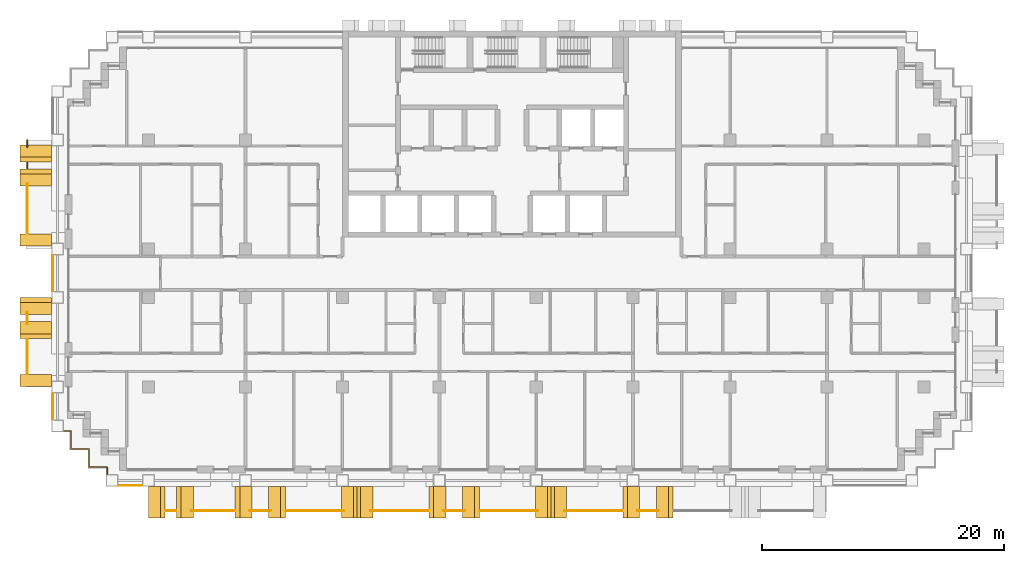
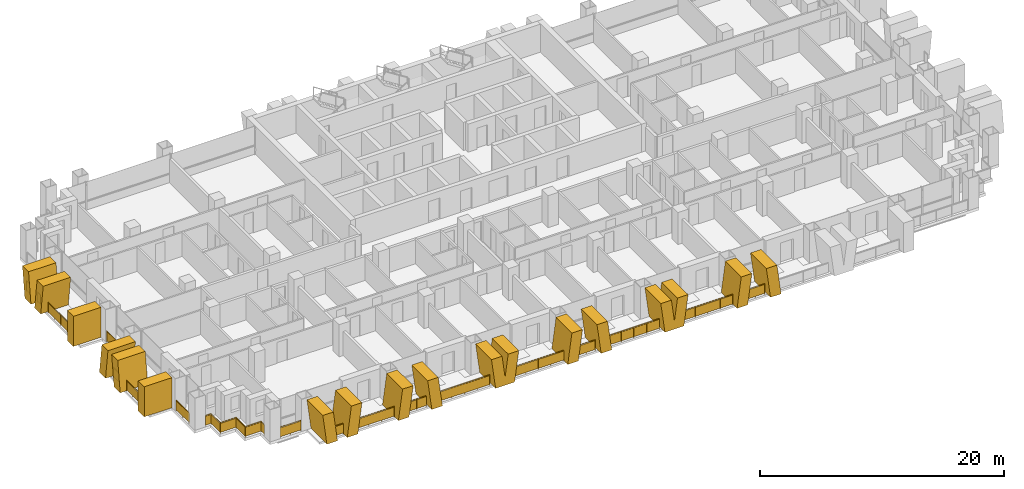
# One storey, part 16 of 19: 18 railings, 16 shading devices.
"""IFC4 building model written with IfcOpenShell, lengths in metres."""

from ifc_helpers import new_model, si_unit, direction, frame, origin, origin_2d, place, context, subcontext, project, spatial, polyline, rectangle, circle, outline, extrude, material, layer, layer_set, type_object, element, save


model = new_model("IFC4")

# Units and contexts
model_context = context("Model", 3, precision=1e-05, world=origin(), true_north=direction((0.0, 1.0)))
body_context = subcontext(model_context, "Body", "Model", "MODEL_VIEW")
ifc_project = project(units=[si_unit("LENGTHUNIT", "METRE"), si_unit("AREAUNIT", "SQUARE_METRE"), si_unit("VOLUMEUNIT", "CUBIC_METRE"), si_unit("PLANEANGLEUNIT", "RADIAN"), si_unit("MASSUNIT", "GRAM", prefix="KILO")], contexts=[model_context])

# Site, building, storey
site_placement = place(None, origin())
site = spatial("IfcSite", under=ifc_project, at=site_placement, CompositionType="ELEMENT")
building_placement = place(site_placement, origin())
building = spatial("IfcBuilding", under=site, at=building_placement, Name="Vidyagriha Tower", CompositionType="ELEMENT")
storey_placement = place(building_placement, frame((0.0, 0.0, 60.800048828125)))
storey = spatial("IfcBuildingStorey", under=building, at=storey_placement, Name="L16", CompositionType="ELEMENT", Elevation=60.800048828125)

# Railings
ifc_material_1 = material(Name="Steel ASTM A500 Grade C black painted", Category="steel")
railing_type_1 = type_object("IfcRailingType", Name="Balcony guard 1100", PredefinedType="BALUSTRADE", material=ifc_material_1)
railing_1_placement = place(storey_placement, frame((-40.0, 11.0, 0.0)))
element("IfcRailing", 1, at=railing_1_placement, inside=storey, type_object=railing_type_1, Name="Balcony guard L16 R16.1-1", PredefinedType="BALUSTRADE", context=body_context, shape_type="SweptSolid", body=[
    extrude(circle(Radius=0.02490234375, at=origin_2d()), frame((0.0, 0.0, 1.0751953125), z_axis=(0.0, -1.0, 0.0), x_axis=(1.0, 0.0, 0.0)), (0.0, 0.0, 1.0), 0.5966796875),
    extrude(circle(Radius=0.02001953125, at=origin_2d()), origin(), (0.0, 0.0, 1.0), 1.050048828125),
    extrude(circle(Radius=0.02001953125, at=origin_2d()), frame((0.0, -0.5966796875, 0.0)), (0.0, 0.0, 1.0), 1.050048828125),
    extrude(rectangle(XDim=0.010009765625, YDim=0.900146484375, at=origin_2d()), frame((0.0, 0.0, 0.550048828125), z_axis=(0.0, -1.0, 0.0), x_axis=(1.0, 0.0, 0.0)), (0.0, 0.0, 1.0), 0.5966796875),
])
railing_2_placement = place(storey_placement, frame((-40.0, 9.14990234375, 0.0)))
element("IfcRailing", 2, at=railing_2_placement, inside=storey, type_object=railing_type_1, Name="Balcony guard L16 R16.1-2", PredefinedType="BALUSTRADE", context=body_context, shape_type="SweptSolid", body=[
    extrude(circle(Radius=0.02490234375, at=origin_2d()), frame((0.0, 0.0, 1.0751953125), z_axis=(0.0, -1.0, 0.0), x_axis=(1.0, 0.0, 0.0)), (0.0, 0.0, 1.0), 0.5),
    extrude(circle(Radius=0.02001953125, at=origin_2d()), origin(), (0.0, 0.0, 1.0), 1.050048828125),
    extrude(circle(Radius=0.02001953125, at=origin_2d()), frame((0.0, -0.5, 0.0)), (0.0, 0.0, 1.0), 1.050048828125),
    extrude(rectangle(XDim=0.010009765625, YDim=0.900146484375, at=origin_2d()), frame((0.0, 0.0, 0.550048828125), z_axis=(0.0, -1.0, 0.0), x_axis=(1.0, 0.0, 0.0)), (0.0, 0.0, 1.0), 0.5),
])
railing_3_placement = place(storey_placement, frame((-40.0, 7.396728515625, 0.0)))
element("IfcRailing", 3, at=railing_3_placement, inside=storey, type_object=railing_type_1, Name="Balcony guard L16 R16.1-3", PredefinedType="BALUSTRADE", context=body_context, shape_type="SweptSolid", body=[
    extrude(circle(Radius=0.02490234375, at=origin_2d()), frame((0.0, 0.0, 1.0751953125), z_axis=(0.0, -1.0, 0.0), x_axis=(1.0, 0.0, 0.0)), (0.0, 0.0, 1.0), 4.0966796875),
    extrude(circle(Radius=0.02001953125, at=origin_2d()), origin(), (0.0, 0.0, 1.0), 1.050048828125),
    extrude(circle(Radius=0.02001953125, at=origin_2d()), frame((0.0, -1.024169921875, 0.0)), (0.0, 0.0, 1.0), 1.050048828125),
    extrude(circle(Radius=0.02001953125, at=origin_2d()), frame((0.0, -2.04833984375, 0.0)), (0.0, 0.0, 1.0), 1.050048828125),
    extrude(circle(Radius=0.02001953125, at=origin_2d()), frame((0.0, -3.072509765625, 0.0)), (0.0, 0.0, 1.0), 1.050048828125),
    extrude(circle(Radius=0.02001953125, at=origin_2d()), frame((0.0, -4.0966796875, 0.0)), (0.0, 0.0, 1.0), 1.050048828125),
    extrude(rectangle(XDim=0.010009765625, YDim=0.900146484375, at=origin_2d()), frame((0.0, 0.0, 0.550048828125), z_axis=(0.0, -1.0, 0.0), x_axis=(1.0, 0.0, 0.0)), (0.0, 0.0, 1.0), 4.0966796875),
])
railing_4_placement = place(storey_placement, frame((-40.0, -3.203369140625, 0.0)))
element("IfcRailing", 4, at=railing_4_placement, inside=storey, type_object=railing_type_1, Name="Balcony guard L16 R16.2-1", PredefinedType="BALUSTRADE", context=body_context, shape_type="SweptSolid", body=[
    extrude(circle(Radius=0.02490234375, at=origin_2d()), frame((0.0, 0.0, 1.0751953125), z_axis=(0.0, -1.0, 0.0), x_axis=(1.0, 0.0, 0.0)), (0.0, 0.0, 1.0), 0.993408203125),
    extrude(circle(Radius=0.02001953125, at=origin_2d()), origin(), (0.0, 0.0, 1.0), 1.050048828125),
    extrude(circle(Radius=0.02001953125, at=origin_2d()), frame((0.0, -0.993408203125, 0.0)), (0.0, 0.0, 1.0), 1.050048828125),
    extrude(rectangle(XDim=0.010009765625, YDim=0.900146484375, at=origin_2d()), frame((0.0, 0.0, 0.550048828125), z_axis=(0.0, -1.0, 0.0), x_axis=(1.0, 0.0, 0.0)), (0.0, 0.0, 1.0), 0.993408203125),
])
railing_5_placement = place(storey_placement, frame((-40.0, -5.449951171875, 0.0)))
element("IfcRailing", 5, at=railing_5_placement, inside=storey, type_object=railing_type_1, Name="Balcony guard L16 R16.2-2", PredefinedType="BALUSTRADE", context=body_context, shape_type="SweptSolid", body=[
    extrude(circle(Radius=0.02490234375, at=origin_2d()), frame((0.0, 0.0, 1.0751953125), z_axis=(0.0, -1.0, 0.0), x_axis=(1.0, 0.0, 0.0)), (0.0, 0.0, 1.0), 2.85009765625),
    extrude(circle(Radius=0.02001953125, at=origin_2d()), origin(), (0.0, 0.0, 1.0), 1.050048828125),
    extrude(circle(Radius=0.02001953125, at=origin_2d()), frame((0.0, -0.949951171875, 0.0)), (0.0, 0.0, 1.0), 1.050048828125),
    extrude(circle(Radius=0.02001953125, at=origin_2d()), frame((0.0, -1.900146484375, 0.0)), (0.0, 0.0, 1.0), 1.050048828125),
    extrude(circle(Radius=0.02001953125, at=origin_2d()), frame((0.0, -2.85009765625, 0.0)), (0.0, 0.0, 1.0), 1.050048828125),
    extrude(rectangle(XDim=0.010009765625, YDim=0.900146484375, at=origin_2d()), frame((0.0, 0.0, 0.550048828125), z_axis=(0.0, -1.0, 0.0), x_axis=(1.0, 0.0, 0.0)), (0.0, 0.0, 1.0), 2.85009765625),
])
railing_6_placement = place(storey_placement, frame((-28.564208984375, -19.60009765625, 0.0)))
element("IfcRailing", 6, at=railing_6_placement, inside=storey, type_object=railing_type_1, Name="Balcony guard L16 R23.1-1", PredefinedType="BALUSTRADE", context=body_context, shape_type="SweptSolid", body=[
    extrude(circle(Radius=0.02490234375, at=origin_2d()), frame((0.0, 0.0, 1.0751953125), z_axis=(1.0, 0.0, 0.0), x_axis=(0.0, 1.0, 0.0)), (0.0, 0.0, 1.0), 0.82861328125),
    extrude(circle(Radius=0.02001953125, at=origin_2d()), origin(), (0.0, 0.0, 1.0), 1.050048828125),
    extrude(circle(Radius=0.02001953125, at=origin_2d()), frame((0.82861328125, 0.0, 0.0)), (0.0, 0.0, 1.0), 1.050048828125),
    extrude(rectangle(XDim=0.010009765625, YDim=0.900146484375, at=origin_2d()), frame((0.0, 0.0, 0.550048828125), z_axis=(1.0, 0.0, 0.0), x_axis=(0.0, 1.0, 0.0)), (0.0, 0.0, 1.0), 0.82861328125),
])
railing_7_placement = place(storey_placement, frame((-26.48779296875, -19.60009765625, 0.0)))
element("IfcRailing", 7, at=railing_7_placement, inside=storey, type_object=railing_type_1, Name="Balcony guard L16 R23.1-2", PredefinedType="BALUSTRADE", context=body_context, shape_type="SweptSolid", body=[
    extrude(circle(Radius=0.02490234375, at=origin_2d()), frame((0.0, 0.0, 1.0751953125), z_axis=(1.0, 0.0, 0.0), x_axis=(0.0, 1.0, 0.0)), (0.0, 0.0, 1.0), 3.582763671875),
    extrude(circle(Radius=0.02001953125, at=origin_2d()), origin(), (0.0, 0.0, 1.0), 1.050048828125),
    extrude(circle(Radius=0.02001953125, at=origin_2d()), frame((1.1943359375, 0.0, 0.0)), (0.0, 0.0, 1.0), 1.050048828125),
    extrude(circle(Radius=0.02001953125, at=origin_2d()), frame((2.388427734375, 0.0, 0.0)), (0.0, 0.0, 1.0), 1.050048828125),
    extrude(circle(Radius=0.02001953125, at=origin_2d()), frame((3.582763671875, 0.0, 0.0)), (0.0, 0.0, 1.0), 1.050048828125),
    extrude(rectangle(XDim=0.010009765625, YDim=0.900146484375, at=origin_2d()), frame((0.0, 0.0, 0.550048828125), z_axis=(1.0, 0.0, 0.0), x_axis=(0.0, 1.0, 0.0)), (0.0, 0.0, 1.0), 3.582763671875),
])
railing_8_placement = place(storey_placement, frame((-21.653564453125, -19.60009765625, 0.0)))
element("IfcRailing", 8, at=railing_8_placement, inside=storey, type_object=railing_type_1, Name="Balcony guard L16 R23.1-3", PredefinedType="BALUSTRADE", context=body_context, shape_type="SweptSolid", body=[
    extrude(circle(Radius=0.02490234375, at=origin_2d()), frame((0.0, 0.0, 1.0751953125), z_axis=(1.0, 0.0, 0.0), x_axis=(0.0, 1.0, 0.0)), (0.0, 0.0, 1.0), 1.757080078125),
    extrude(circle(Radius=0.02001953125, at=origin_2d()), origin(), (0.0, 0.0, 1.0), 1.050048828125),
    extrude(circle(Radius=0.02001953125, at=origin_2d()), frame((0.87841796875, 0.0, 0.0)), (0.0, 0.0, 1.0), 1.050048828125),
    extrude(circle(Radius=0.02001953125, at=origin_2d()), frame((1.757080078125, 0.0, 0.0)), (0.0, 0.0, 1.0), 1.050048828125),
    extrude(rectangle(XDim=0.010009765625, YDim=0.900146484375, at=origin_2d()), frame((0.0, 0.0, 0.550048828125), z_axis=(1.0, 0.0, 0.0), x_axis=(0.0, 1.0, 0.0)), (0.0, 0.0, 1.0), 1.757080078125),
])
railing_9_placement = place(storey_placement, frame((-18.64501953125, -19.60009765625, 0.0)))
element("IfcRailing", 9, at=railing_9_placement, inside=storey, type_object=railing_type_1, Name="Balcony guard L16 R23.1-4", PredefinedType="BALUSTRADE", context=body_context, shape_type="SweptSolid", body=[
    extrude(circle(Radius=0.02490234375, at=origin_2d()), frame((0.0, 0.0, 1.0751953125), z_axis=(1.0, 0.0, 0.0), x_axis=(0.0, 1.0, 0.0)), (0.0, 0.0, 1.0), 4.773681640625),
    extrude(circle(Radius=0.02001953125, at=origin_2d()), origin(), (0.0, 0.0, 1.0), 1.050048828125),
    extrude(circle(Radius=0.02001953125, at=origin_2d()), frame((1.193359375, 0.0, 0.0)), (0.0, 0.0, 1.0), 1.050048828125),
    extrude(circle(Radius=0.02001953125, at=origin_2d()), frame((2.38671875, 0.0, 0.0)), (0.0, 0.0, 1.0), 1.050048828125),
    extrude(circle(Radius=0.02001953125, at=origin_2d()), frame((3.580322265625, 0.0, 0.0)), (0.0, 0.0, 1.0), 1.050048828125),
    extrude(circle(Radius=0.02001953125, at=origin_2d()), frame((4.773681640625, 0.0, 0.0)), (0.0, 0.0, 1.0), 1.050048828125),
    extrude(rectangle(XDim=0.010009765625, YDim=0.900146484375, at=origin_2d()), frame((0.0, 0.0, 0.550048828125), z_axis=(1.0, 0.0, 0.0), x_axis=(0.0, 1.0, 0.0)), (0.0, 0.0, 1.0), 4.773681640625),
])
railing_10_placement = place(storey_placement, frame((-11.678466796875, -19.60009765625, 0.0)))
element("IfcRailing", 10, at=railing_10_placement, inside=storey, type_object=railing_type_1, Name="Balcony guard L16 R23.1-5", PredefinedType="BALUSTRADE", context=body_context, shape_type="SweptSolid", body=[
    extrude(circle(Radius=0.02490234375, at=origin_2d()), frame((0.0, 0.0, 1.0751953125), z_axis=(1.0, 0.0, 0.0), x_axis=(0.0, 1.0, 0.0)), (0.0, 0.0, 1.0), 4.7734375),
    extrude(circle(Radius=0.02001953125, at=origin_2d()), origin(), (0.0, 0.0, 1.0), 1.050048828125),
    extrude(circle(Radius=0.02001953125, at=origin_2d()), frame((1.193359375, 0.0, 0.0)), (0.0, 0.0, 1.0), 1.050048828125),
    extrude(circle(Radius=0.02001953125, at=origin_2d()), frame((2.38671875, 0.0, 0.0)), (0.0, 0.0, 1.0), 1.050048828125),
    extrude(circle(Radius=0.02001953125, at=origin_2d()), frame((3.580078125, 0.0, 0.0)), (0.0, 0.0, 1.0), 1.050048828125),
    extrude(circle(Radius=0.02001953125, at=origin_2d()), frame((4.7734375, 0.0, 0.0)), (0.0, 0.0, 1.0), 1.050048828125),
    extrude(rectangle(XDim=0.010009765625, YDim=0.900146484375, at=origin_2d()), frame((0.0, 0.0, 0.550048828125), z_axis=(1.0, 0.0, 0.0), x_axis=(0.0, 1.0, 0.0)), (0.0, 0.0, 1.0), 4.7734375),
])
railing_11_placement = place(storey_placement, frame((-5.653564453125, -19.60009765625, 0.0)))
element("IfcRailing", 11, at=railing_11_placement, inside=storey, type_object=railing_type_1, Name="Balcony guard L16 R23.1-6", PredefinedType="BALUSTRADE", context=body_context, shape_type="SweptSolid", body=[
    extrude(circle(Radius=0.02490234375, at=origin_2d()), frame((0.0, 0.0, 1.0751953125), z_axis=(1.0, 0.0, 0.0), x_axis=(0.0, 1.0, 0.0)), (0.0, 0.0, 1.0), 1.757080078125),
    extrude(circle(Radius=0.02001953125, at=origin_2d()), origin(), (0.0, 0.0, 1.0), 1.050048828125),
    extrude(circle(Radius=0.02001953125, at=origin_2d()), frame((0.87841796875, 0.0, 0.0)), (0.0, 0.0, 1.0), 1.050048828125),
    extrude(circle(Radius=0.02001953125, at=origin_2d()), frame((1.757080078125, 0.0, 0.0)), (0.0, 0.0, 1.0), 1.050048828125),
    extrude(rectangle(XDim=0.010009765625, YDim=0.900146484375, at=origin_2d()), frame((0.0, 0.0, 0.550048828125), z_axis=(1.0, 0.0, 0.0), x_axis=(0.0, 1.0, 0.0)), (0.0, 0.0, 1.0), 1.757080078125),
])
railing_12_placement = place(storey_placement, frame((-2.64501953125, -19.60009765625, 0.0)))
element("IfcRailing", 12, at=railing_12_placement, inside=storey, type_object=railing_type_1, Name="Balcony guard L16 R23.1-7", PredefinedType="BALUSTRADE", context=body_context, shape_type="SweptSolid", body=[
    extrude(circle(Radius=0.02490234375, at=origin_2d()), frame((0.0, 0.0, 1.0751953125), z_axis=(1.0, 0.0, 0.0), x_axis=(0.0, 1.0, 0.0)), (0.0, 0.0, 1.0), 4.773681640625),
    extrude(circle(Radius=0.02001953125, at=origin_2d()), origin(), (0.0, 0.0, 1.0), 1.050048828125),
    extrude(circle(Radius=0.02001953125, at=origin_2d()), frame((1.193359375, 0.0, 0.0)), (0.0, 0.0, 1.0), 1.050048828125),
    extrude(circle(Radius=0.02001953125, at=origin_2d()), frame((2.38671875, 0.0, 0.0)), (0.0, 0.0, 1.0), 1.050048828125),
    extrude(circle(Radius=0.02001953125, at=origin_2d()), frame((3.580322265625, 0.0, 0.0)), (0.0, 0.0, 1.0), 1.050048828125),
    extrude(circle(Radius=0.02001953125, at=origin_2d()), frame((4.773681640625, 0.0, 0.0)), (0.0, 0.0, 1.0), 1.050048828125),
    extrude(rectangle(XDim=0.010009765625, YDim=0.900146484375, at=origin_2d()), frame((0.0, 0.0, 0.550048828125), z_axis=(1.0, 0.0, 0.0), x_axis=(0.0, 1.0, 0.0)), (0.0, 0.0, 1.0), 4.773681640625),
])
railing_13_placement = place(storey_placement, frame((4.321533203125, -19.60009765625, 0.0)))
element("IfcRailing", 13, at=railing_13_placement, inside=storey, type_object=railing_type_1, Name="Balcony guard L16 R23.1-8", PredefinedType="BALUSTRADE", context=body_context, shape_type="SweptSolid", body=[
    extrude(circle(Radius=0.02490234375, at=origin_2d()), frame((0.0, 0.0, 1.0751953125), z_axis=(1.0, 0.0, 0.0), x_axis=(0.0, 1.0, 0.0)), (0.0, 0.0, 1.0), 4.7734375),
    extrude(circle(Radius=0.02001953125, at=origin_2d()), origin(), (0.0, 0.0, 1.0), 1.050048828125),
    extrude(circle(Radius=0.02001953125, at=origin_2d()), frame((1.193359375, 0.0, 0.0)), (0.0, 0.0, 1.0), 1.050048828125),
    extrude(circle(Radius=0.02001953125, at=origin_2d()), frame((2.38671875, 0.0, 0.0)), (0.0, 0.0, 1.0), 1.050048828125),
    extrude(circle(Radius=0.02001953125, at=origin_2d()), frame((3.580078125, 0.0, 0.0)), (0.0, 0.0, 1.0), 1.050048828125),
    extrude(circle(Radius=0.02001953125, at=origin_2d()), frame((4.7734375, 0.0, 0.0)), (0.0, 0.0, 1.0), 1.050048828125),
    extrude(rectangle(XDim=0.010009765625, YDim=0.900146484375, at=origin_2d()), frame((0.0, 0.0, 0.550048828125), z_axis=(1.0, 0.0, 0.0), x_axis=(0.0, 1.0, 0.0)), (0.0, 0.0, 1.0), 4.7734375),
])
railing_14_placement = place(storey_placement, frame((10.346435546875, -19.60009765625, 0.0)))
element("IfcRailing", 14, at=railing_14_placement, inside=storey, type_object=railing_type_1, Name="Balcony guard L16 R23.1-9", PredefinedType="BALUSTRADE", context=body_context, shape_type="SweptSolid", body=[
    extrude(circle(Radius=0.02490234375, at=origin_2d()), frame((0.0, 0.0, 1.0751953125), z_axis=(1.0, 0.0, 0.0), x_axis=(0.0, 1.0, 0.0)), (0.0, 0.0, 1.0), 1.757080078125),
    extrude(circle(Radius=0.02001953125, at=origin_2d()), origin(), (0.0, 0.0, 1.0), 1.050048828125),
    extrude(circle(Radius=0.02001953125, at=origin_2d()), frame((0.87841796875, 0.0, 0.0)), (0.0, 0.0, 1.0), 1.050048828125),
    extrude(circle(Radius=0.02001953125, at=origin_2d()), frame((1.757080078125, 0.0, 0.0)), (0.0, 0.0, 1.0), 1.050048828125),
    extrude(rectangle(XDim=0.010009765625, YDim=0.900146484375, at=origin_2d()), frame((0.0, 0.0, 0.550048828125), z_axis=(1.0, 0.0, 0.0), x_axis=(0.0, 1.0, 0.0)), (0.0, 0.0, 1.0), 1.757080078125),
])

# Shading devices
ifc_material_2 = material(Name="Precast concrete C40/50 with buff brick facing", Category="concrete")
ifc_layer_1 = layer(ifc_material_2, 1.0)
ifc_layer_set_1 = layer_set([ifc_layer_1], Name="Precast concrete C40/50 with buff brick facing")
shading_device_type_1 = type_object("IfcShadingDeviceType", Name="Brick-faced blade fin arm leaning 8 degrees", PredefinedType="USERDEFINED", material=ifc_layer_set_1)
shading_device_1_placement = place(storey_placement, frame((-39.300048828125, 8.60009765625, 0.0), z_axis=(0.0, 0.0, 1.0), x_axis=(0.0, -1.0, 0.0)))
element("IfcShadingDevice", 15, at=shading_device_1_placement, inside=storey, type_object=shading_device_type_1, Name="Leaning blade fin L16 R16.280a", ObjectType="BLADE FIN", PredefinedType="USERDEFINED", context=body_context, shape_type="SweptSolid", body=[
    extrude(outline(polyline([(0.0, 0.0), (1.0, 0.0), (1.39990234375, 3.0), (0.39990234375, 3.0), (0.0, 0.0)])), frame((0.0, 1.300048828125, 0.0), z_axis=(0.0, -1.0, 0.0), x_axis=(1.0, 0.0, 0.0)), (0.0, 0.0, 1.0), 2.60009765625),
])
for number, where, z_axis, x_axis, name in (
    (16, (-39.300048828125, 10.60009765625, 0.0), (0.0, 0.0, 1.0), (0.0, -1.0, 0.0), "Leaning blade fin L16 R16.280b"),
    (17, (-39.300048828125, -4.0, 0.0), (0.0, 0.0, 1.0), (0.0, -1.0, 0.0), "Leaning blade fin L16 R16.1580a"),
):
    element("IfcShadingDevice", number, at=place(storey_placement, frame(where, z_axis=z_axis, x_axis=x_axis)), inside=storey, type_object=shading_device_type_1, Name=name, ObjectType="BLADE FIN", PredefinedType="USERDEFINED", context=body_context, shape_type="SweptSolid", body=[
        extrude(outline(polyline([(0.39990234375, 0.0), (1.39990234375, 0.0), (1.0, 3.0), (0.0, 3.0), (0.39990234375, 0.0)])), frame((0.0, 1.300048828125, 0.0), z_axis=(0.0, -1.0, 0.0), x_axis=(1.0, 0.0, 0.0)), (0.0, 0.0, 1.0), 2.60009765625),
    ])
shading_device_2_placement = place(storey_placement, frame((-39.300048828125, -2.0, 0.0), z_axis=(0.0, 0.0, 1.0), x_axis=(0.0, -1.0, 0.0)))
element("IfcShadingDevice", 18, at=shading_device_2_placement, inside=storey, type_object=shading_device_type_1, Name="Leaning blade fin L16 R16.1580b", ObjectType="BLADE FIN", PredefinedType="USERDEFINED", context=body_context, shape_type="SweptSolid", body=[
    extrude(outline(polyline([(0.0, 0.0), (1.0, 0.0), (1.39990234375, 3.0), (0.39990234375, 3.0), (0.0, 0.0)])), frame((0.0, 1.300048828125, 0.0), z_axis=(0.0, -1.0, 0.0), x_axis=(1.0, 0.0, 0.0)), (0.0, 0.0, 1.0), 2.60009765625),
])
shading_device_3_placement = place(storey_placement, frame((-27.685791015625, -18.89990234375, 0.0)))
element("IfcShadingDevice", 19, at=shading_device_3_placement, inside=storey, type_object=shading_device_type_1, Name="Leaning blade fin L16 R23.180a", ObjectType="BLADE FIN", PredefinedType="USERDEFINED", context=body_context, shape_type="SweptSolid", body=[
    extrude(outline(polyline([(0.0, 0.0), (1.0, 0.0), (1.3857421875, 3.0), (0.3857421875, 3.0), (0.0, 0.0)])), frame((0.0, 1.300048828125, 0.0), z_axis=(0.0, -1.0, 0.0), x_axis=(1.0, 0.0, 0.0)), (0.0, 0.0, 1.0), 2.60009765625),
])
shading_device_4_placement = place(storey_placement, frame((-30.0, -18.89990234375, 0.0)))
element("IfcShadingDevice", 20, at=shading_device_4_placement, inside=storey, type_object=shading_device_type_1, Name="Leaning blade fin L16 R23.180b", ObjectType="BLADE FIN", PredefinedType="USERDEFINED", context=body_context, shape_type="SweptSolid", body=[
    extrude(outline(polyline([(0.3857421875, 0.0), (1.3857421875, 0.0), (1.0, 3.0), (0.0, 3.0), (0.3857421875, 0.0)])), frame((0.0, 1.300048828125, 0.0), z_axis=(0.0, -1.0, 0.0), x_axis=(1.0, 0.0, 0.0)), (0.0, 0.0, 1.0), 2.60009765625),
])
shading_device_5_placement = place(storey_placement, frame((-20.090087890625, -18.89990234375, 0.0)))
element("IfcShadingDevice", 21, at=shading_device_5_placement, inside=storey, type_object=shading_device_type_1, Name="Leaning blade fin L16 R23.980a", ObjectType="BLADE FIN", PredefinedType="USERDEFINED", context=body_context, shape_type="SweptSolid", body=[
    extrude(outline(polyline([(0.39501953125, 0.0), (1.39501953125, 0.0), (1.0, 3.0), (0.0, 3.0), (0.39501953125, 0.0)])), frame((0.0, 1.300048828125, 0.0), z_axis=(0.0, -1.0, 0.0), x_axis=(1.0, 0.0, 0.0)), (0.0, 0.0, 1.0), 2.60009765625),
])
shading_device_6_placement = place(storey_placement, frame((-22.85498046875, -18.89990234375, 0.0)))
element("IfcShadingDevice", 22, at=shading_device_6_placement, inside=storey, type_object=shading_device_type_1, Name="Leaning blade fin L16 R23.980b", ObjectType="BLADE FIN", PredefinedType="USERDEFINED", context=body_context, shape_type="SweptSolid", body=[
    extrude(outline(polyline([(0.0, 0.0), (1.0, 0.0), (1.39501953125, 3.0), (0.39501953125, 3.0), (0.0, 0.0)])), frame((0.0, 1.300048828125, 0.0), z_axis=(0.0, -1.0, 0.0), x_axis=(1.0, 0.0, 0.0)), (0.0, 0.0, 1.0), 2.60009765625),
])
shading_device_7_placement = place(storey_placement, frame((-4.090087890625, -18.89990234375, 0.0)))
element("IfcShadingDevice", 23, at=shading_device_7_placement, inside=storey, type_object=shading_device_type_1, Name="Leaning blade fin L16 R23.2580a", ObjectType="BLADE FIN", PredefinedType="USERDEFINED", context=body_context, shape_type="SweptSolid", body=[
    extrude(outline(polyline([(0.39501953125, 0.0), (1.39501953125, 0.0), (1.0, 3.0), (0.0, 3.0), (0.39501953125, 0.0)])), frame((0.0, 1.300048828125, 0.0), z_axis=(0.0, -1.0, 0.0), x_axis=(1.0, 0.0, 0.0)), (0.0, 0.0, 1.0), 2.60009765625),
])
shading_device_8_placement = place(storey_placement, frame((-6.85498046875, -18.89990234375, 0.0)))
element("IfcShadingDevice", 24, at=shading_device_8_placement, inside=storey, type_object=shading_device_type_1, Name="Leaning blade fin L16 R23.2580b", ObjectType="BLADE FIN", PredefinedType="USERDEFINED", context=body_context, shape_type="SweptSolid", body=[
    extrude(outline(polyline([(0.0, 0.0), (1.0, 0.0), (1.39501953125, 3.0), (0.39501953125, 3.0), (0.0, 0.0)])), frame((0.0, 1.300048828125, 0.0), z_axis=(0.0, -1.0, 0.0), x_axis=(1.0, 0.0, 0.0)), (0.0, 0.0, 1.0), 2.60009765625),
])
shading_device_9_placement = place(storey_placement, frame((11.909912109375, -18.89990234375, 0.0)))
element("IfcShadingDevice", 25, at=shading_device_9_placement, inside=storey, type_object=shading_device_type_1, Name="Leaning blade fin L16 R23.4180a", ObjectType="BLADE FIN", PredefinedType="USERDEFINED", context=body_context, shape_type="SweptSolid", body=[
    extrude(outline(polyline([(0.39501953125, 0.0), (1.39501953125, 0.0), (1.0, 3.0), (0.0, 3.0), (0.39501953125, 0.0)])), frame((0.0, 1.300048828125, 0.0), z_axis=(0.0, -1.0, 0.0), x_axis=(1.0, 0.0, 0.0)), (0.0, 0.0, 1.0), 2.60009765625),
])
shading_device_10_placement = place(storey_placement, frame((9.14501953125, -18.89990234375, 0.0)))
element("IfcShadingDevice", 26, at=shading_device_10_placement, inside=storey, type_object=shading_device_type_1, Name="Leaning blade fin L16 R23.4180b", ObjectType="BLADE FIN", PredefinedType="USERDEFINED", context=body_context, shape_type="SweptSolid", body=[
    extrude(outline(polyline([(0.0, 0.0), (1.0, 0.0), (1.39501953125, 3.0), (0.39501953125, 3.0), (0.0, 0.0)])), frame((0.0, 1.300048828125, 0.0), z_axis=(0.0, -1.0, 0.0), x_axis=(1.0, 0.0, 0.0)), (0.0, 0.0, 1.0), 2.60009765625),
])
ifc_material_3 = material(Name="Precast concrete C40/50 with buff brick facing", Category="concrete")
ifc_layer_2 = layer(ifc_material_3, 1.0)
ifc_layer_set_2 = layer_set([ifc_layer_2], Name="Precast concrete C40/50 with buff brick facing")
shading_device_type_2 = type_object("IfcShadingDeviceType", Name="Brick-faced blade fin forking 8 degrees", PredefinedType="USERDEFINED", material=ifc_layer_set_2)
for number, where, name in (
    (27, (-14.06494140625, -18.89990234375, 0.0), "Forked blade fin L16 R23.1780a"),
    (28, (1.93505859375, -18.89990234375, 0.0), "Forked blade fin L16 R23.3380a"),
):
    element("IfcShadingDevice", number, at=place(storey_placement, frame(where)), inside=storey, type_object=shading_device_type_2, Name=name, ObjectType="BLADE FIN", PredefinedType="USERDEFINED", context=body_context, shape_type="SweptSolid", body=[
        extrude(outline(polyline([(0.39501953125, 0.0), (2.18505859375, 0.0), (2.580078125, 3.0), (1.580078125, 3.0), (1.2900390625, 0.79736328125), (1.0, 3.0), (0.0, 3.0), (0.39501953125, 0.0)])), frame((0.0, 1.300048828125, 0.0), z_axis=(0.0, -1.0, 0.0), x_axis=(1.0, 0.0, 0.0)), (0.0, 0.0, 1.0), 2.60009765625),
    ])
ifc_material_4 = material(Name="Precast concrete C40/50 with buff brick facing", Category="concrete")
ifc_layer_3 = layer(ifc_material_4, 1.0)
ifc_layer_set_3 = layer_set([ifc_layer_3], Name="Precast concrete C40/50 with buff brick facing")
shading_device_type_3 = type_object("IfcShadingDeviceType", Name="Brick-faced blade fin stem 1000", PredefinedType="USERDEFINED", material=ifc_layer_set_3)
for number, where, z_axis, x_axis, name in (
    (29, (-39.300048828125, 3.25, 0.0), (0.0, 0.0, 1.0), (0.0, -1.0, 0.0), "Stem blade fin L16 R16.1180a"),
    (30, (-39.300048828125, -8.35009765625, 0.0), (0.0, 0.0, 1.0), (0.0, -1.0, 0.0), "Stem blade fin L16 R16.2320a"),
):
    element("IfcShadingDevice", number, at=place(storey_placement, frame(where, z_axis=z_axis, x_axis=x_axis)), inside=storey, type_object=shading_device_type_3, Name=name, ObjectType="BLADE FIN", PredefinedType="USERDEFINED", context=body_context, shape_type="SweptSolid", body=[
        extrude(outline(polyline([(0.0, 0.0), (1.0, 0.0), (1.0, 3.0), (0.0, 3.0), (0.0, 0.0)])), frame((0.0, 1.300048828125, 0.0), z_axis=(0.0, -1.0, 0.0), x_axis=(1.0, 0.0, 0.0)), (0.0, 0.0, 1.0), 2.60009765625),
    ])

# Railings
ifc_material_5 = material(Name="Steel ASTM A500 Grade C black painted", Category="steel")
railing_type_2 = type_object("IfcRailingType", Name="Gallery guard 1100", PredefinedType="GUARDRAIL", material=ifc_material_5)
railing_15_placement = place(storey_placement, frame((-37.89990234375, -12.070068359375, 0.0)))
element("IfcRailing", 31, at=railing_15_placement, inside=storey, type_object=railing_type_2, Name="Gallery guard L16 1", PredefinedType="GUARDRAIL", context=body_context, shape_type="SweptSolid", body=[
    extrude(circle(Radius=0.02490234375, at=origin_2d()), frame((0.0, 0.0, 1.0751953125), z_axis=(0.0, 1.0, 0.0), x_axis=(-1.0, 0.0, 0.0)), (0.0, 0.0, 1.0), 2.14013671875),
    extrude(circle(Radius=0.02001953125, at=origin_2d()), origin(), (0.0, 0.0, 1.0), 1.050048828125),
    extrude(circle(Radius=0.02001953125, at=origin_2d()), frame((0.0, 1.070068359375, 0.0)), (0.0, 0.0, 1.0), 1.050048828125),
    extrude(circle(Radius=0.02001953125, at=origin_2d()), frame((0.0, 2.14013671875, 0.0)), (0.0, 0.0, 1.0), 1.050048828125),
    extrude(rectangle(XDim=0.010009765625, YDim=0.900146484375, at=origin_2d()), frame((0.0, 0.0, 0.550048828125), z_axis=(0.0, 1.0, 0.0), x_axis=(-1.0, 0.0, 0.0)), (0.0, 0.0, 1.0), 2.14013671875),
])
railing_16_placement = place(storey_placement, frame((-37.89990234375, -1.469970703125, 0.0)))
element("IfcRailing", 32, at=railing_16_placement, inside=storey, type_object=railing_type_2, Name="Gallery guard L16 2", PredefinedType="GUARDRAIL", context=body_context, shape_type="SweptSolid", body=[
    extrude(circle(Radius=0.02490234375, at=origin_2d()), frame((0.0, 0.0, 1.0751953125), z_axis=(0.0, 1.0, 0.0), x_axis=(-1.0, 0.0, 0.0)), (0.0, 0.0, 1.0), 2.93994140625),
    extrude(circle(Radius=0.02001953125, at=origin_2d()), origin(), (0.0, 0.0, 1.0), 1.050048828125),
    extrude(circle(Radius=0.02001953125, at=origin_2d()), frame((0.0, 1.469970703125, 0.0)), (0.0, 0.0, 1.0), 1.050048828125),
    extrude(circle(Radius=0.02001953125, at=origin_2d()), frame((0.0, 2.93994140625, 0.0)), (0.0, 0.0, 1.0), 1.050048828125),
    extrude(rectangle(XDim=0.010009765625, YDim=0.900146484375, at=origin_2d()), frame((0.0, 0.0, 0.550048828125), z_axis=(0.0, 1.0, 0.0), x_axis=(-1.0, 0.0, 0.0)), (0.0, 0.0, 1.0), 2.93994140625),
])
railing_17_placement = place(storey_placement, frame((-33.39990234375, -16.570068359375, 0.0)))
element("IfcRailing", 33, at=railing_17_placement, inside=storey, type_object=railing_type_2, Name="Gallery guard L16 4", PredefinedType="GUARDRAIL", context=body_context, shape_type="SweptSolid", body=[
    extrude(circle(Radius=0.02490234375, at=origin_2d()), frame((0.0, 0.0, 1.0751953125), z_axis=(0.0, 1.0, 0.0), x_axis=(-1.0, 0.0, 0.0)), (0.0, 0.0, 1.0), 0.570068359375),
    extrude(circle(Radius=0.02490234375, at=origin_2d()), frame((0.0, 0.570068359375, 1.0751953125), z_axis=(-1.0, 0.0, 0.0), x_axis=(0.0, -1.0, 0.0)), (0.0, 0.0, 1.0), 1.5),
    extrude(circle(Radius=0.02490234375, at=origin_2d()), frame((-1.5, 0.570068359375, 1.0751953125), z_axis=(0.0, 1.0, 0.0), x_axis=(-1.0, 0.0, 0.0)), (0.0, 0.0, 1.0), 1.5),
    extrude(circle(Radius=0.02490234375, at=origin_2d()), frame((-1.5, 2.070068359375, 1.0751953125), z_axis=(-1.0, 0.0, 0.0), x_axis=(0.0, -1.0, 0.0)), (0.0, 0.0, 1.0), 1.5),
    extrude(circle(Radius=0.02490234375, at=origin_2d()), frame((-3.0, 2.070068359375, 1.0751953125), z_axis=(0.0, 1.0, 0.0), x_axis=(-1.0, 0.0, 0.0)), (0.0, 0.0, 1.0), 1.5),
    extrude(circle(Radius=0.02490234375, at=origin_2d()), frame((-3.0, 3.570068359375, 1.0751953125), z_axis=(-1.0, 0.0, 0.0), x_axis=(0.0, -1.0, 0.0)), (0.0, 0.0, 1.0), 0.570068359375),
    extrude(circle(Radius=0.02001953125, at=origin_2d()), origin(), (0.0, 0.0, 1.0), 1.050048828125),
    extrude(circle(Radius=0.02001953125, at=origin_2d()), frame((0.0, 0.570068359375, 0.0)), (0.0, 0.0, 1.0), 1.050048828125),
    extrude(circle(Radius=0.02001953125, at=origin_2d()), frame((-1.5, 0.570068359375, 0.0)), (0.0, 0.0, 1.0), 1.050048828125),
    extrude(circle(Radius=0.02001953125, at=origin_2d()), frame((-1.5, 2.070068359375, 0.0)), (0.0, 0.0, 1.0), 1.050048828125),
    extrude(circle(Radius=0.02001953125, at=origin_2d()), frame((-3.0, 2.070068359375, 0.0)), (0.0, 0.0, 1.0), 1.050048828125),
    extrude(circle(Radius=0.02001953125, at=origin_2d()), frame((-3.0, 3.570068359375, 0.0)), (0.0, 0.0, 1.0), 1.050048828125),
    extrude(circle(Radius=0.02001953125, at=origin_2d()), frame((-3.570068359375, 3.570068359375, 0.0)), (0.0, 0.0, 1.0), 1.050048828125),
    extrude(rectangle(XDim=0.010009765625, YDim=0.900146484375, at=origin_2d()), frame((0.0, 0.0, 0.550048828125), z_axis=(0.0, 1.0, 0.0), x_axis=(-1.0, 0.0, 0.0)), (0.0, 0.0, 1.0), 0.570068359375),
    extrude(rectangle(XDim=0.010009765625, YDim=0.900146484375, at=origin_2d()), frame((0.0, 0.570068359375, 0.550048828125), z_axis=(-1.0, 0.0, 0.0), x_axis=(0.0, -1.0, 0.0)), (0.0, 0.0, 1.0), 1.5),
    extrude(rectangle(XDim=0.010009765625, YDim=0.900146484375, at=origin_2d()), frame((-1.5, 0.570068359375, 0.550048828125), z_axis=(0.0, 1.0, 0.0), x_axis=(-1.0, 0.0, 0.0)), (0.0, 0.0, 1.0), 1.5),
    extrude(rectangle(XDim=0.010009765625, YDim=0.900146484375, at=origin_2d()), frame((-1.5, 2.070068359375, 0.550048828125), z_axis=(-1.0, 0.0, 0.0), x_axis=(0.0, -1.0, 0.0)), (0.0, 0.0, 1.0), 1.5),
    extrude(rectangle(XDim=0.010009765625, YDim=0.900146484375, at=origin_2d()), frame((-3.0, 2.070068359375, 0.550048828125), z_axis=(0.0, 1.0, 0.0), x_axis=(-1.0, 0.0, 0.0)), (0.0, 0.0, 1.0), 1.5),
    extrude(rectangle(XDim=0.010009765625, YDim=0.900146484375, at=origin_2d()), frame((-3.0, 3.570068359375, 0.550048828125), z_axis=(-1.0, 0.0, 0.0), x_axis=(0.0, -1.0, 0.0)), (0.0, 0.0, 1.0), 0.570068359375),
])
railing_18_placement = place(storey_placement, frame((-30.530029296875, -17.5, 0.0)))
element("IfcRailing", 34, at=railing_18_placement, inside=storey, type_object=railing_type_2, Name="Gallery guard L16 6", PredefinedType="GUARDRAIL", context=body_context, shape_type="SweptSolid", body=[
    extrude(circle(Radius=0.02490234375, at=origin_2d()), frame((0.0, 0.0, 1.0751953125), z_axis=(-1.0, 0.0, 0.0), x_axis=(0.0, -1.0, 0.0)), (0.0, 0.0, 1.0), 1.93994140625),
    extrude(circle(Radius=0.02001953125, at=origin_2d()), origin(), (0.0, 0.0, 1.0), 1.050048828125),
    extrude(circle(Radius=0.02001953125, at=origin_2d()), frame((-0.969970703125, 0.0, 0.0)), (0.0, 0.0, 1.0), 1.050048828125),
    extrude(circle(Radius=0.02001953125, at=origin_2d()), frame((-1.93994140625, 0.0, 0.0)), (0.0, 0.0, 1.0), 1.050048828125),
    extrude(rectangle(XDim=0.010009765625, YDim=0.900146484375, at=origin_2d()), frame((0.0, 0.0, 0.550048828125), z_axis=(-1.0, 0.0, 0.0), x_axis=(0.0, -1.0, 0.0)), (0.0, 0.0, 1.0), 1.93994140625),
])

save(model, "model.ifc")
